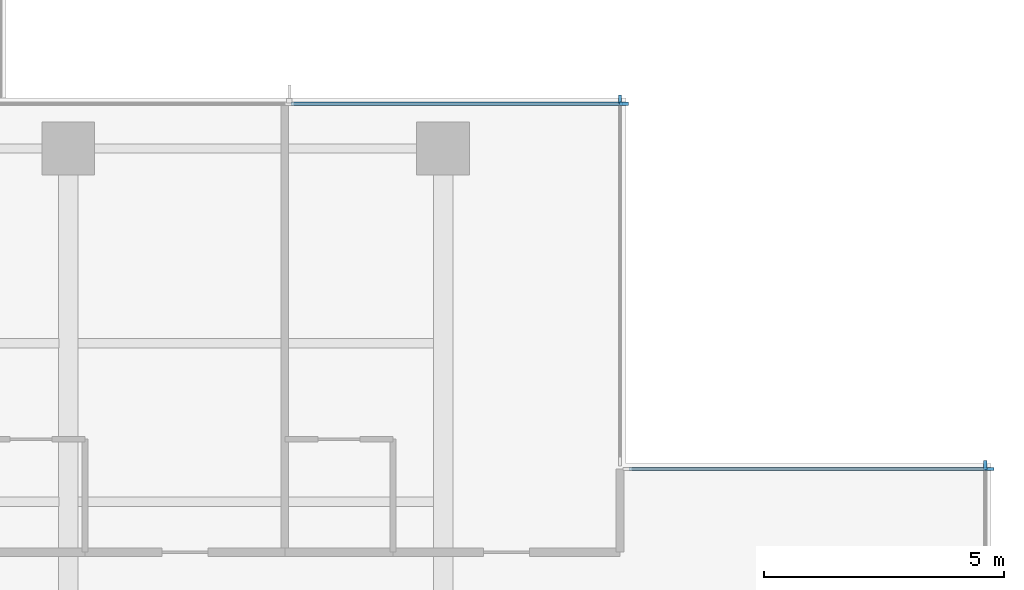
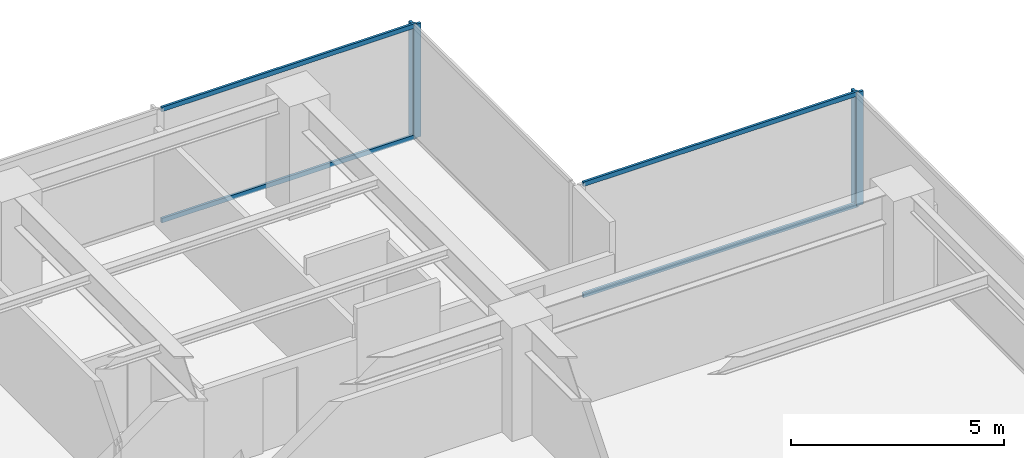
# One storey, part 5 of 15: 8 members, 4 elements without a shape of their own.
"""IFC4 building model written with IfcOpenShell, lengths in metres."""

import ifcopenshell
import ifcopenshell.guid

model = None  # the IFC model being written
_history = None  # IfcOwnerHistory: only IFC2X3 demands one
_inside = {}  # id of a spatial element -> (the spatial element, [elements in it])
_under = {}  # id of a project, library or spatial element -> (it, [spatial elements below it])
_declared = {}  # id of a project -> (the project, [libraries it declares])
_typed = {}  # id of a type object -> (the type object, [elements of that type])
_made_of = {}  # id of a material, layer set ... -> (it, [elements and type objects made of it])


def new_model(schema):
    """Start an empty IFC model of exactly this schema.

    Asked for "IFC4X3", IfcOpenShell would pick the latest addendum, in which some entities
    have other attributes; the version numbers below select the first issue.
    IFC2X3 requires an IfcOwnerHistory on every rooted entity: one is made here for all.
    """
    global model, _history
    if schema == "IFC4X3":
        model = ifcopenshell.file(schema_version=(4, 3, 0, 0))
    else:
        model = ifcopenshell.file(schema=schema)
    _inside.clear()
    _under.clear()
    _declared.clear()
    _typed.clear()
    _made_of.clear()
    _history = None
    if model.schema == "IFC2X3":
        org = make("IfcOrganization", Name="unknown")
        user = make(
            "IfcPersonAndOrganization",
            ThePerson=make("IfcPerson", FamilyName="unknown"),
            TheOrganization=org,
        )
        app = make(
            "IfcApplication",
            ApplicationDeveloper=org,
            Version="unknown",
            ApplicationFullName="unknown",
            ApplicationIdentifier="unknown",
        )
        _history = make(
            "IfcOwnerHistory",
            OwningUser=user,
            OwningApplication=app,
            ChangeAction="ADDED",
            CreationDate=0,
        )
    return model


def make(cls, **values):
    """One entity of the class cls with the attributes given. An attribute that is None is left unset."""
    return model.create_entity(
        cls, **{name: value for name, value in values.items() if value is not None}
    )


def rooted(cls, **values):
    """An entity with a GlobalId (a new one), such as an element, a storey or a relation."""
    return make(cls, GlobalId=ifcopenshell.guid.new(), OwnerHistory=_history, **values)


def si_unit(unit_type, name, prefix=None):
    """IfcSIUnit, for example si_unit("LENGTHUNIT", "METRE", prefix="MILLI")."""
    return make("IfcSIUnit", UnitType=unit_type, Prefix=prefix, Name=name)


def assignment(units):
    """IfcUnitAssignment: the units of a project."""
    return None if units is None else make("IfcUnitAssignment", Units=units)


def point(xyz):
    """IfcCartesianPoint."""
    return None if xyz is None else make("IfcCartesianPoint", Coordinates=xyz)


def direction(xyz):
    """IfcDirection."""
    return None if xyz is None else make("IfcDirection", DirectionRatios=xyz)


def frame(location, z_axis=None, x_axis=None):
    """IfcAxis2Placement3D, a coordinate frame: its origin and axes. An axis left out is left unset."""
    return make(
        "IfcAxis2Placement3D",
        Location=point(location),
        Axis=direction(z_axis),
        RefDirection=direction(x_axis),
    )


def frame_2d(location, x_axis=None):
    """IfcAxis2Placement2D, a coordinate frame in the plane: its origin and x axis."""
    return make(
        "IfcAxis2Placement2D", Location=point(location), RefDirection=direction(x_axis)
    )


def origin():
    """The frame at (0, 0, 0) with its axes left unset."""
    return frame((0.0, 0.0, 0.0))


def origin_2d():
    """The frame at (0, 0) in the plane with its x axis left unset."""
    return frame_2d((0.0, 0.0))


def place(relative_to, where):
    """IfcLocalPlacement: puts the frame where relative to a parent placement (None: the world)."""
    return make(
        "IfcLocalPlacement", PlacementRelTo=relative_to, RelativePlacement=where
    )


def context(
    kind, dimensions, precision=None, world=None, true_north=None, identifier=None
):
    """IfcGeometricRepresentationContext, for example the 3D "Model" context."""
    return make(
        "IfcGeometricRepresentationContext",
        ContextIdentifier=identifier,
        ContextType=kind,
        CoordinateSpaceDimension=dimensions,
        Precision=precision,
        WorldCoordinateSystem=world,
        TrueNorth=true_north,
    )


def subcontext(parent, identifier, kind, view, scale=None):
    """IfcGeometricRepresentationSubContext, for example "Body" below "Model"."""
    return make(
        "IfcGeometricRepresentationSubContext",
        ContextIdentifier=identifier,
        ContextType=kind,
        ParentContext=parent,
        TargetScale=scale,
        TargetView=view,
    )


def project(units=None, contexts=None):
    """IfcProject with its units and contexts."""
    return rooted(
        "IfcProject",
        Name="project",
        RepresentationContexts=contexts,
        UnitsInContext=assignment(units),
    )


def spatial(cls, under=None, at=None, **own):
    """A site, building, storey or space (cls), placed at a placement, below another one or the project."""
    s = rooted(cls, ObjectPlacement=at, **own)
    if under is not None:
        _under.setdefault(under.id(), (under, []))[1].append(s)
    return s


def profile(cls, at=None, kind="AREA", **sizes):
    """A parametric profile (cls). Its sizes go by their IFC names, for example OverallWidth=200.0."""
    return make(cls, ProfileType=kind, Position=at, **sizes)


def rectangle(**sizes):
    """IfcRectangleProfileDef."""
    return profile("IfcRectangleProfileDef", **sizes)


def extrude(swept, where, along, depth):
    """IfcExtrudedAreaSolid: the profile swept, set in the frame where, extruded along a direction by depth."""
    return make(
        "IfcExtrudedAreaSolid",
        SweptArea=swept,
        Position=where,
        ExtrudedDirection=direction(along),
        Depth=depth,
    )


def shape(context_of_items, identifier, shape_type, items):
    """IfcShapeRepresentation: the items that make up one representation, for example the "Body"."""
    return make(
        "IfcShapeRepresentation",
        ContextOfItems=context_of_items,
        RepresentationIdentifier=identifier,
        RepresentationType=shape_type,
        Items=items,
    )


def material(Name=None, Category=None):
    """IfcMaterial."""
    return make("IfcMaterial", Name=Name, Category=Category)


def layer(
    of_material, thickness, ventilated=None, Name=None, Category=None, Priority=None
):
    """IfcMaterialLayer: one layer of a wall or slab, of a material (None: an air gap)."""
    return make(
        "IfcMaterialLayer",
        Material=of_material,
        LayerThickness=thickness,
        IsVentilated=ventilated,
        Name=Name,
        Category=Category,
        Priority=Priority,
    )


def layer_set(layers, Name=None):
    """IfcMaterialLayerSet."""
    return make("IfcMaterialLayerSet", MaterialLayers=layers, LayerSetName=Name)


def material_profile(
    of_material, cross_section, Name=None, Category=None, Priority=None
):
    """IfcMaterialProfile: a cross section and its material."""
    return make(
        "IfcMaterialProfile",
        Name=Name,
        Material=of_material,
        Profile=cross_section,
        Priority=Priority,
        Category=Category,
    )


def profile_set(profiles, Name=None, composite=None):
    """IfcMaterialProfileSet."""
    return make(
        "IfcMaterialProfileSet",
        Name=Name,
        MaterialProfiles=profiles,
        CompositeProfile=composite,
    )


def made_of(thing, what):
    """Note that an element or type object is made of a material, layer set ...; save() writes the relation."""
    if what is not None:
        _made_of.setdefault(what.id(), (what, []))[1].append(thing)
    return thing


def type_object(cls, material=None, **own):
    """A type object (cls), such as IfcWallType, which elements share."""
    return made_of(rooted(cls, **own), material)


def element(
    cls,
    number,
    at=None,
    inside=None,
    cuts=None,
    type_object=None,
    material=None,
    context=None,
    identifier="Body",
    shape_type=None,
    held_by="IfcProductDefinitionShape",
    body=None,
    shapes=None,
    **own,
):
    """One element of the class cls, such as IfcWall. Its Tag is "e" and its number.

    at: its placement. inside: the storey or other place that contains it. cuts: it is an
    opening in that element (IfcRelVoidsElement). A single representation is given by context,
    identifier, shape_type and body (its items); several are given by shapes. held_by: the class
    of the entity that holds the representations. save() writes the other relations.
    """
    e = rooted(cls, Tag="e%d" % number, ObjectPlacement=at, **own)
    if body is not None:
        shapes = [shape(context, identifier, shape_type, body)]
    if shapes is not None:
        e.Representation = make(held_by, Representations=shapes)
    if inside is not None:
        _inside.setdefault(inside.id(), (inside, []))[1].append(e)
    if cuts is not None:
        rooted(
            "IfcRelVoidsElement", RelatingBuildingElement=cuts, RelatedOpeningElement=e
        )
    if type_object is not None:
        _typed.setdefault(type_object.id(), (type_object, []))[1].append(e)
    return made_of(e, material)


def aggregate(whole, parts):
    """IfcRelAggregates: a whole, such as a stair, and the parts it consists of."""
    return rooted("IfcRelAggregates", RelatingObject=whole, RelatedObjects=parts)


def save(model, path):
    """Write the relations noted so far, then the file.

    IfcRelAggregates (storeys below a building ...), IfcRelContainedInSpatialStructure (elements
    in a storey), IfcRelDefinesByType, IfcRelAssociatesMaterial and IfcRelDeclares: one each for
    every whole, place, type object, material and project.
    """
    for whole, parts in _under.values():
        aggregate(whole, parts)
    for where, things in _inside.values():
        rooted(
            "IfcRelContainedInSpatialStructure",
            RelatedElements=things,
            RelatingStructure=where,
        )
    for kind, things in _typed.values():
        rooted("IfcRelDefinesByType", RelatedObjects=things, RelatingType=kind)
    for what, things in _made_of.values():
        rooted("IfcRelAssociatesMaterial", RelatedObjects=things, RelatingMaterial=what)
    for by, libraries in _declared.values():
        rooted("IfcRelDeclares", RelatingContext=by, RelatedDefinitions=libraries)
    model.write(path)


model = new_model("IFC4")

# Units and contexts
model_context = context("Model", 3, precision=1e-05, world=origin(), true_north=direction((0.0, 1.0)))
body_context = subcontext(model_context, "Body", "Model", "MODEL_VIEW")
ifc_project = project(units=[si_unit("LENGTHUNIT", "METRE"), si_unit("AREAUNIT", "SQUARE_METRE"), si_unit("VOLUMEUNIT", "CUBIC_METRE"), si_unit("PLANEANGLEUNIT", "RADIAN"), si_unit("MASSUNIT", "GRAM", prefix="KILO")], contexts=[model_context])

# Site, building, storey
site_placement = place(None, origin())
site = spatial("IfcSite", under=ifc_project, at=site_placement, CompositionType="ELEMENT")
building_placement = place(site_placement, origin())
building = spatial("IfcBuilding", under=site, at=building_placement, Name="Qalmaran Belvedere Hotel", CompositionType="ELEMENT")
storey_placement = place(building_placement, frame((0.0, 0.0, 170.10009765625)))
storey = spatial("IfcBuildingStorey", under=building, at=storey_placement, Name="L43", CompositionType="ELEMENT", Elevation=170.10009765625)

# Curtain wall, member
ifc_material = material(Name="Anodised Bronze Aluminium", Category="aluminium")
ifc_layer = layer(ifc_material, 0.195068359375, Name="Anodised Bronze Aluminium")
ifc_layer_set = layer_set([ifc_layer], Name="Anodised Bronze Aluminium")
curtain_wall_type = type_object("IfcCurtainWallType", Name="CW4-TOWER-HIGHMID", PredefinedType="NOTDEFINED", material=ifc_layer_set)
curtain_wall_1_placement = place(storey_placement, origin())
curtain_wall_1 = element("IfcCurtainWall", 1, at=curtain_wall_1_placement, inside=storey, type_object=curtain_wall_type, Name="L43 Curtain Wall CW4", PredefinedType="NOTDEFINED")
ifc_material_profile_1 = material_profile(ifc_material, rectangle(XDim=0.070068359375, YDim=0.18994140625, at=origin_2d()), Name="CWM70X190")
ifc_profile_set_1 = profile_set([ifc_material_profile_1], Name="Anodised Bronze Aluminium")
member_type_1 = type_object("IfcMemberType", Name="CWM-70X190", PredefinedType="MULLION", material=ifc_profile_set_1)
member_1_placement = place(storey_placement, frame((56.080078125, 36.864990234375, 0.0), z_axis=(0.0, 0.0, 1.0), x_axis=(-1.0, 0.0, 0.0)))
member_1 = element("IfcMember", 2, at=member_1_placement, type_object=member_type_1, Name="CW4 mullion 4", PredefinedType="MULLION", context=body_context, shape_type="SweptSolid", body=[
    extrude(rectangle(XDim=0.070068359375, YDim=0.18994140625, at=origin_2d()), origin(), (0.0, 0.0, 1.0), 3.25),
])
aggregate(curtain_wall_1, [member_1])

curtain_wall_2_placement = place(storey_placement, origin())
curtain_wall_2 = element("IfcCurtainWall", 3, at=curtain_wall_2_placement, inside=storey, type_object=curtain_wall_type, Name="L43 Curtain Wall CW4", PredefinedType="NOTDEFINED")
member_2_placement = place(storey_placement, frame((56.1650390625, 36.780029296875, 0.0), z_axis=(0.0, 0.0, 1.0), x_axis=(0.0, -1.0, 0.0)))
member_2 = element("IfcMember", 4, at=member_2_placement, type_object=member_type_1, Name="CW4 mullion 1", PredefinedType="MULLION", context=body_context, shape_type="SweptSolid", body=[
    extrude(rectangle(XDim=0.070068359375, YDim=0.18994140625, at=origin_2d()), origin(), (0.0, 0.0, 1.0), 3.25),
])

curtain_wall_3_placement = place(storey_placement, origin())
curtain_wall_3 = element("IfcCurtainWall", 5, at=curtain_wall_3_placement, inside=storey, type_object=curtain_wall_type, Name="L43 Curtain Wall CW4", PredefinedType="NOTDEFINED")
member_3_placement = place(storey_placement, frame((48.47998046875, 44.465087890625, 0.0), z_axis=(0.0, 0.0, 1.0), x_axis=(-1.0, 0.0, 0.0)))
member_3 = element("IfcMember", 6, at=member_3_placement, type_object=member_type_1, Name="CW4 mullion 2", PredefinedType="MULLION", context=body_context, shape_type="SweptSolid", body=[
    extrude(rectangle(XDim=0.070068359375, YDim=0.18994140625, at=origin_2d()), origin(), (0.0, 0.0, 1.0), 3.25),
])
aggregate(curtain_wall_3, [member_3])

curtain_wall_4_placement = place(storey_placement, origin())
curtain_wall_4 = element("IfcCurtainWall", 7, at=curtain_wall_4_placement, inside=storey, type_object=curtain_wall_type, Name="L43 Curtain Wall CW4", PredefinedType="NOTDEFINED")
member_4_placement = place(storey_placement, frame((48.56494140625, 44.3798828125, 0.0), z_axis=(0.0, 0.0, 1.0), x_axis=(0.0, -1.0, 0.0)))
member_4 = element("IfcMember", 8, at=member_4_placement, type_object=member_type_1, Name="CW4 mullion 1", PredefinedType="MULLION", context=body_context, shape_type="SweptSolid", body=[
    extrude(rectangle(XDim=0.070068359375, YDim=0.18994140625, at=origin_2d()), origin(), (0.0, 0.0, 1.0), 3.25),
])

# Member
ifc_material_profile_2 = material_profile(ifc_material, rectangle(XDim=0.06494140625, YDim=0.1298828125, at=origin_2d()), Name="CWT65X130")
ifc_profile_set_2 = profile_set([ifc_material_profile_2], Name="Anodised Bronze Aluminium")
member_type_2 = type_object("IfcMemberType", Name="CWT-65X130", PredefinedType="USERDEFINED", material=ifc_profile_set_2)
member_5_placement = place(storey_placement, frame((56.1298828125, 36.780029296875, 0.032470703125), z_axis=(-1.0, 0.0, 0.0), x_axis=(0.0, -1.0, 0.0)))
member_5 = element("IfcMember", 9, at=member_5_placement, type_object=member_type_2, Name="CW4 transom 1.1", ObjectType="TRANSOM", PredefinedType="USERDEFINED", context=body_context, shape_type="SweptSolid", body=[
    extrude(rectangle(XDim=0.06494140625, YDim=0.1298828125, at=origin_2d()), origin(), (0.0, 0.0, 1.0), 7.4599609375),
])

member_6_placement = place(storey_placement, frame((56.1298828125, 36.780029296875, 3.21728515625), z_axis=(-1.0, 0.0, 0.0), x_axis=(0.0, -1.0, 0.0)))
member_6 = element("IfcMember", 10, at=member_6_placement, type_object=member_type_2, Name="CW4 transom 1.2", ObjectType="TRANSOM", PredefinedType="USERDEFINED", context=body_context, shape_type="SweptSolid", body=[
    extrude(rectangle(XDim=0.06494140625, YDim=0.1298828125, at=origin_2d()), origin(), (0.0, 0.0, 1.0), 7.4599609375),
])

aggregate(curtain_wall_2, [member_2, member_5, member_6])

member_7_placement = place(storey_placement, frame((48.530029296875, 44.3798828125, 0.032470703125), z_axis=(-1.0, 0.0, 0.0), x_axis=(0.0, -1.0, 0.0)))
member_7 = element("IfcMember", 11, at=member_7_placement, type_object=member_type_2, Name="CW4 transom 1.1", ObjectType="TRANSOM", PredefinedType="USERDEFINED", context=body_context, shape_type="SweptSolid", body=[
    extrude(rectangle(XDim=0.06494140625, YDim=0.1298828125, at=origin_2d()), origin(), (0.0, 0.0, 1.0), 6.89501953125),
])

member_8_placement = place(storey_placement, frame((48.530029296875, 44.3798828125, 3.21728515625), z_axis=(-1.0, 0.0, 0.0), x_axis=(0.0, -1.0, 0.0)))
member_8 = element("IfcMember", 12, at=member_8_placement, type_object=member_type_2, Name="CW4 transom 1.2", ObjectType="TRANSOM", PredefinedType="USERDEFINED", context=body_context, shape_type="SweptSolid", body=[
    extrude(rectangle(XDim=0.06494140625, YDim=0.1298828125, at=origin_2d()), origin(), (0.0, 0.0, 1.0), 6.89501953125),
])

aggregate(curtain_wall_4, [member_4, member_7, member_8])

save(model, "model.ifc")
